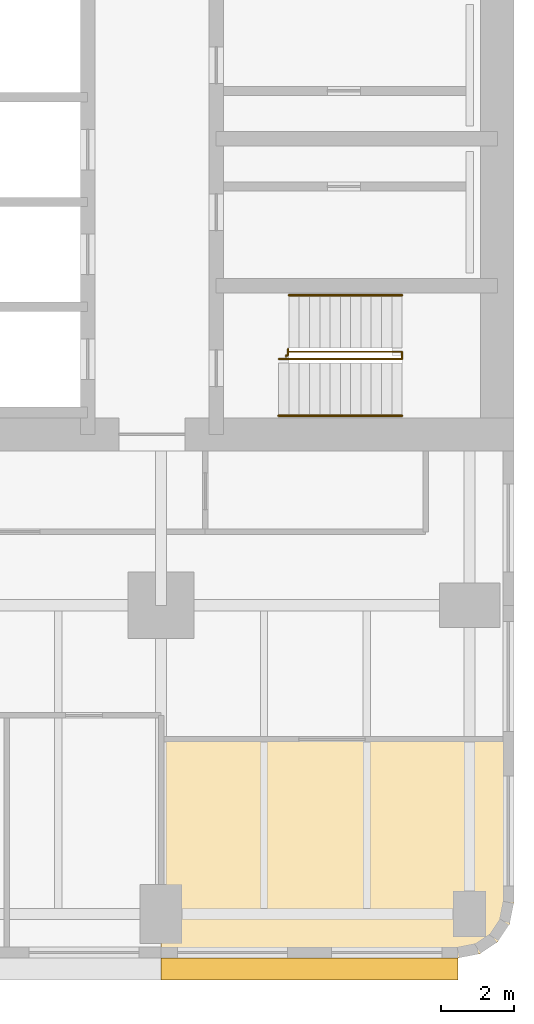
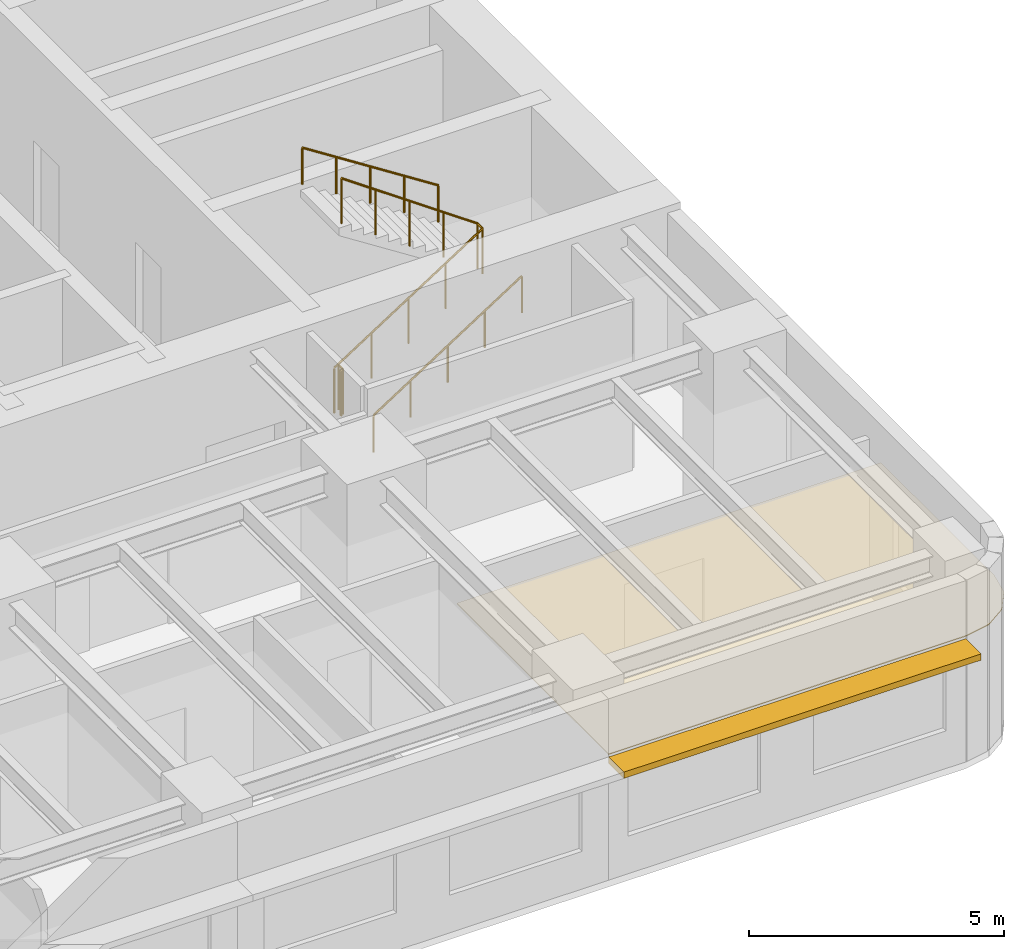
# One storey, part 11 of 14: 4 railings, 1 covering, 1 shading device.
"""IFC4 building model written with IfcOpenShell, lengths in metres."""

from ifc_helpers import new_model, si_unit, direction, frame, origin, origin_2d, place, context, subcontext, project, spatial, polyline, rectangle, circle, outline, extrude, material, layer, layer_set, type_object, element, save


model = new_model("IFC4")

# Units and contexts
model_context = context("Model", 3, precision=1e-05, world=origin(), true_north=direction((0.0, 1.0)))
body_context = subcontext(model_context, "Body", "Model", "MODEL_VIEW")
ifc_project = project(units=[si_unit("LENGTHUNIT", "METRE"), si_unit("AREAUNIT", "SQUARE_METRE"), si_unit("VOLUMEUNIT", "CUBIC_METRE"), si_unit("PLANEANGLEUNIT", "RADIAN"), si_unit("MASSUNIT", "GRAM", prefix="KILO")], contexts=[model_context])

# Site, building, storey
site_placement = place(None, origin())
site = spatial("IfcSite", under=ifc_project, at=site_placement, CompositionType="ELEMENT")
building_placement = place(site_placement, origin())
building = spatial("IfcBuilding", under=site, at=building_placement, Name="Claustro Exchange Tower", CompositionType="ELEMENT")
storey_placement = place(building_placement, frame((0.0, 0.0, 36.89990234375)))
storey = spatial("IfcBuildingStorey", under=building, at=storey_placement, Name="L08", CompositionType="ELEMENT", Elevation=36.89990234375)

# Covering
ifc_material_1 = material(Name="Gypsum board ceiling", Category="gypsum board")
ifc_layer_1 = layer(ifc_material_1, 0.02490234375)
ifc_layer_set_1 = layer_set([ifc_layer_1], Name="Gypsum board ceiling")
covering_type = type_object("IfcCoveringType", Name="CL2 plasterboard ceiling", PredefinedType="CEILING", material=ifc_layer_set_1)
covering_placement = place(storey_placement, frame((0.0, 0.0, 3.0)))
element("IfcCovering", 1, at=covering_placement, inside=storey, type_object=covering_type, Name="Ceiling CL2 L08-02", PredefinedType="CEILING", context=body_context, shape_type="SweptSolid", body=[
    extrude(outline(polyline([(51.60009765625, 0.300048828125), (51.60009765625, 4.75), (42.0, 4.75), (42.0, -1.199951171875), (50.10009765625, -1.199951171875), (50.674072265625, -1.085693359375), (51.16064453125, -0.7607421875), (51.48583984375, -0.27392578125), (51.60009765625, 0.300048828125)])), origin(), (0.0, 0.0, 1.0), 0.025146484375),
])

# Railings
ifc_material_2 = material(Name="Steel balustrade, painted", Category="steel")
railing_type_1 = type_object("IfcRailingType", Name="GR2 1100 steel stair guard", PredefinedType="GUARDRAIL", material=ifc_material_2)
railing_1_placement = place(storey_placement, frame((45.199951171875, 15.10009765625, 0.18017578125)))
element("IfcRailing", 2, at=railing_1_placement, inside=storey, type_object=railing_type_1, Name="Stair well guard GR2 stair STEA L08", PredefinedType="GUARDRAIL", context=body_context, shape_type="SweptSolid", body=[
    extrude(circle(Radius=0.02392578125, at=origin_2d()), frame((0.0, 0.0, 1.076171875), z_axis=(0.84119634759, 0.0, 0.540729789082), x_axis=(0.0, 1.0, 0.0)), (0.0, 0.0, 1.0), 3.994384765625),
    extrude(circle(Radius=0.02392578125, at=origin_2d()), frame((3.360107421875, 0.0, 3.23583984375), z_axis=(0.0, 1.0, 0.0), x_axis=(-1.0, 0.0, 0.0)), (0.0, 0.0, 1.0), 0.199951171875),
    extrude(circle(Radius=0.02392578125, at=origin_2d()), frame((3.360107421875, 0.199951171875, 3.23583984375), z_axis=(-0.8187499073, 0.0, 0.574150319426), x_axis=(0.0, -1.0, 0.0)), (0.0, 0.0, 1.0), 3.761962890625),
    extrude(circle(Radius=0.02099609375, at=origin_2d()), origin(), (0.0, 0.0, 1.0), 1.052001953125),
    extrude(circle(Radius=0.02099609375, at=origin_2d()), frame((0.840087890625, 0.0, 0.5400390625)), (0.0, 0.0, 1.0), 1.052001953125),
    extrude(circle(Radius=0.02099609375, at=origin_2d()), frame((1.68017578125, 0.0, 1.080078125)), (0.0, 0.0, 1.0), 1.052001953125),
    extrude(circle(Radius=0.02099609375, at=origin_2d()), frame((2.52001953125, 0.0, 1.619873046875)), (0.0, 0.0, 1.0), 1.052001953125),
    extrude(circle(Radius=0.02099609375, at=origin_2d()), frame((3.360107421875, 0.0, 2.159912109375)), (0.0, 0.0, 1.0), 1.052001953125),
    extrude(circle(Radius=0.02099609375, at=origin_2d()), frame((3.360107421875, 0.199951171875, 2.159912109375)), (0.0, 0.0, 1.0), 1.052001953125),
    extrude(circle(Radius=0.02099609375, at=origin_2d()), frame((2.590087890625, 0.199951171875, 2.699951171875)), (0.0, 0.0, 1.0), 1.052001953125),
    extrude(circle(Radius=0.02099609375, at=origin_2d()), frame((1.820068359375, 0.199951171875, 3.23974609375)), (0.0, 0.0, 1.0), 1.052001953125),
    extrude(circle(Radius=0.02099609375, at=origin_2d()), frame((1.050048828125, 0.199951171875, 3.77978515625)), (0.0, 0.0, 1.0), 1.052001953125),
    extrude(circle(Radius=0.02099609375, at=origin_2d()), frame((0.280029296875, 0.199951171875, 4.31982421875)), (0.0, 0.0, 1.0), 1.052001953125),
])
railing_2_placement = place(storey_placement, frame((45.39990234375, 15.169921875, 0.0)))
element("IfcRailing", 3, at=railing_2_placement, inside=storey, type_object=railing_type_1, Name="Stair guard GR2 STEA L08", PredefinedType="GUARDRAIL", context=body_context, shape_type="SweptSolid", body=[
    extrude(circle(Radius=0.02392578125, at=origin_2d()), frame((0.0, 0.0, 1.076171875), z_axis=(0.0, 1.0, 0.0), x_axis=(-1.0, 0.0, 0.0)), (0.0, 0.0, 1.0), 0.030029296875),
    extrude(circle(Radius=0.02392578125, at=origin_2d()), frame((0.0, 0.030029296875, 1.076171875), z_axis=(1.0, 0.0, 0.0), x_axis=(0.0, 1.0, 0.0)), (0.0, 0.0, 1.0), 0.05517578125),
    extrude(circle(Radius=0.02392578125, at=origin_2d()), frame((0.05517578125, 0.030029296875, 1.076171875), z_axis=(0.0, 1.0, 0.0), x_axis=(-1.0, 0.0, 0.0)), (0.0, 0.0, 1.0), 0.179931640625),
    extrude(circle(Radius=0.02099609375, at=origin_2d()), origin(), (0.0, 0.0, 1.0), 1.052001953125),
    extrude(circle(Radius=0.02099609375, at=origin_2d()), frame((0.0, 0.030029296875, 0.0)), (0.0, 0.0, 1.0), 1.052001953125),
    extrude(circle(Radius=0.02099609375, at=origin_2d()), frame((0.05517578125, 0.030029296875, 0.0)), (0.0, 0.0, 1.0), 1.052001953125),
    extrude(circle(Radius=0.02099609375, at=origin_2d()), frame((0.05517578125, 0.2099609375, 0.0)), (0.0, 0.0, 1.0), 1.052001953125),
])
ifc_material_3 = material(Name="Stainless steel tube", Category="steel")
railing_type_2 = type_object("IfcRailingType", Name="HR1 900 stair handrail", PredefinedType="HANDRAIL", material=ifc_material_3)
railing_3_placement = place(storey_placement, frame((45.199951171875, 13.56005859375, 0.18017578125)))
element("IfcRailing", 4, at=railing_3_placement, inside=storey, type_object=railing_type_2, Name="Handrail HR1 stair STEA L08", PredefinedType="HANDRAIL", context=body_context, shape_type="SweptSolid", body=[
    extrude(circle(Radius=0.02392578125, at=origin_2d()), frame((0.0, 0.0, 0.8759765625), z_axis=(0.84119634759, 0.0, 0.540729789082), x_axis=(0.0, 1.0, 0.0)), (0.0, 0.0, 1.0), 3.994384765625),
    extrude(circle(Radius=0.02099609375, at=origin_2d()), origin(), (0.0, 0.0, 1.0), 0.851806640625),
    extrude(circle(Radius=0.02099609375, at=origin_2d()), frame((0.840087890625, 0.0, 0.5400390625)), (0.0, 0.0, 1.0), 0.851806640625),
    extrude(circle(Radius=0.02099609375, at=origin_2d()), frame((1.68017578125, 0.0, 1.080078125)), (0.0, 0.0, 1.0), 0.851806640625),
    extrude(circle(Radius=0.02099609375, at=origin_2d()), frame((2.52001953125, 0.0, 1.619873046875)), (0.0, 0.0, 1.0), 0.851806640625),
    extrude(circle(Radius=0.02099609375, at=origin_2d()), frame((3.360107421875, 0.0, 2.159912109375)), (0.0, 0.0, 1.0), 0.851806640625),
])
railing_4_placement = place(storey_placement, frame((48.56005859375, 16.840087890625, 2.52001953125)))
element("IfcRailing", 5, at=railing_4_placement, inside=storey, type_object=railing_type_2, Name="Handrail HR1 stair STEA L08", PredefinedType="HANDRAIL", context=body_context, shape_type="SweptSolid", body=[
    extrude(circle(Radius=0.02392578125, at=origin_2d()), frame((0.0, 0.0, 0.8759765625), z_axis=(-0.84118714077, 0.0, 0.540744111576), x_axis=(0.0, -1.0, 0.0)), (0.0, 0.0, 1.0), 3.66162109375),
    extrude(circle(Radius=0.02099609375, at=origin_2d()), origin(), (0.0, 0.0, 1.0), 0.851806640625),
    extrude(circle(Radius=0.02099609375, at=origin_2d()), frame((-0.77001953125, 0.0, 0.4951171875)), (0.0, 0.0, 1.0), 0.851806640625),
    extrude(circle(Radius=0.02099609375, at=origin_2d()), frame((-1.5400390625, 0.0, 0.989990234375)), (0.0, 0.0, 1.0), 0.851806640625),
    extrude(circle(Radius=0.02099609375, at=origin_2d()), frame((-2.31005859375, 0.0, 1.48486328125)), (0.0, 0.0, 1.0), 0.851806640625),
    extrude(circle(Radius=0.02099609375, at=origin_2d()), frame((-3.080078125, 0.0, 1.97998046875)), (0.0, 0.0, 1.0), 0.851806640625),
])

# Shading device
ifc_material_4 = material(Name="Concrete HA-40 (C40/50), precast, white cement, acid-etched", Category="concrete")
ifc_layer_2 = layer(ifc_material_4, 0.14990234375)
ifc_layer_set_2 = layer_set([ifc_layer_2], Name="Concrete HA-40 (C40/50), precast, white cement, acid-etched")
shading_device_type = type_object("IfcShadingDeviceType", Name="SS1 600 precast concrete SUNSHADE", PredefinedType="SHUTTER", material=ifc_layer_set_2)
shading_device_placement = place(storey_placement, frame((46.04248046875, -1.5, 2.800048828125), z_axis=(0.0, 0.0, 1.0), x_axis=(-1.0, 0.0, 0.0)))
element("IfcShadingDevice", 6, at=shading_device_placement, inside=storey, type_object=shading_device_type, Name="Precast SUNSHADE SS1 L08", PredefinedType="SHUTTER", context=body_context, shape_type="SweptSolid", body=[
    extrude(rectangle(XDim=8.085205078125, YDim=0.60009765625, at=origin_2d()), origin(), (0.0, 0.0, 1.0), 0.14990234375),
])

save(model, "model.ifc")
